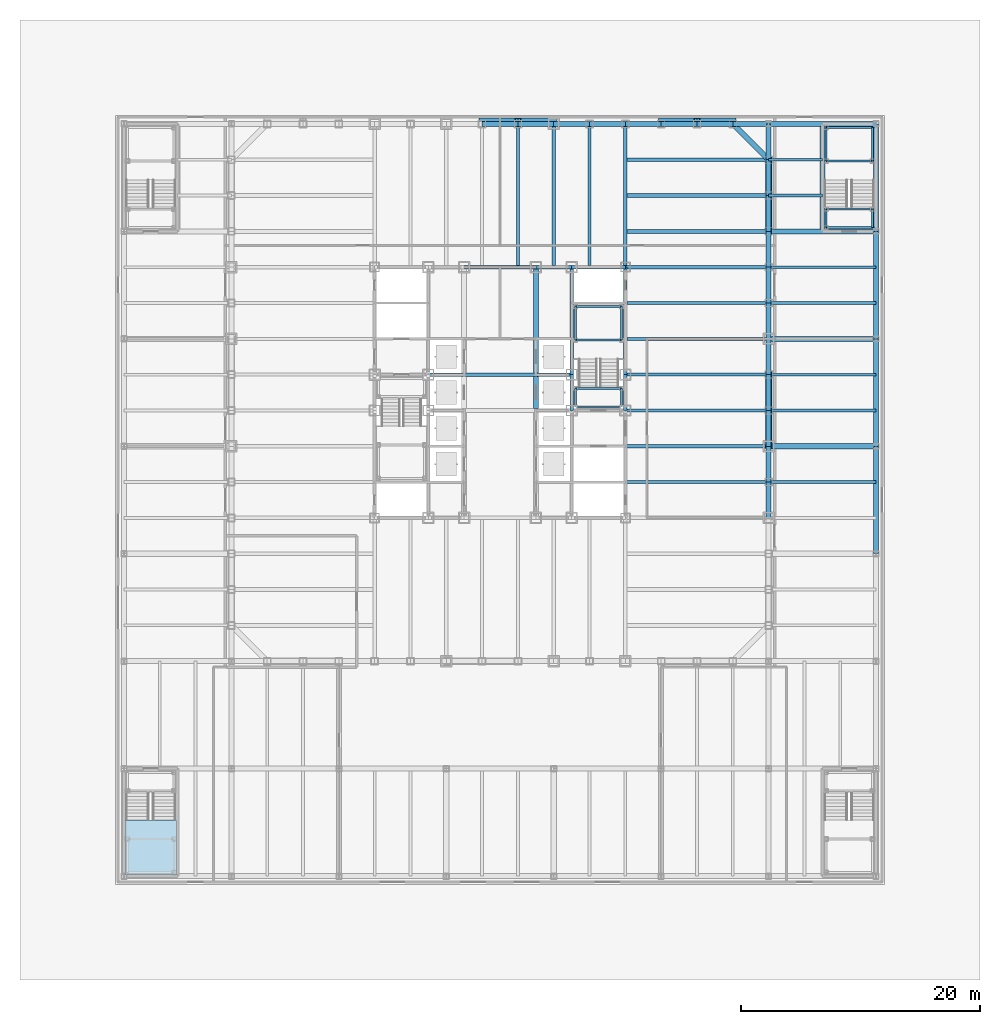
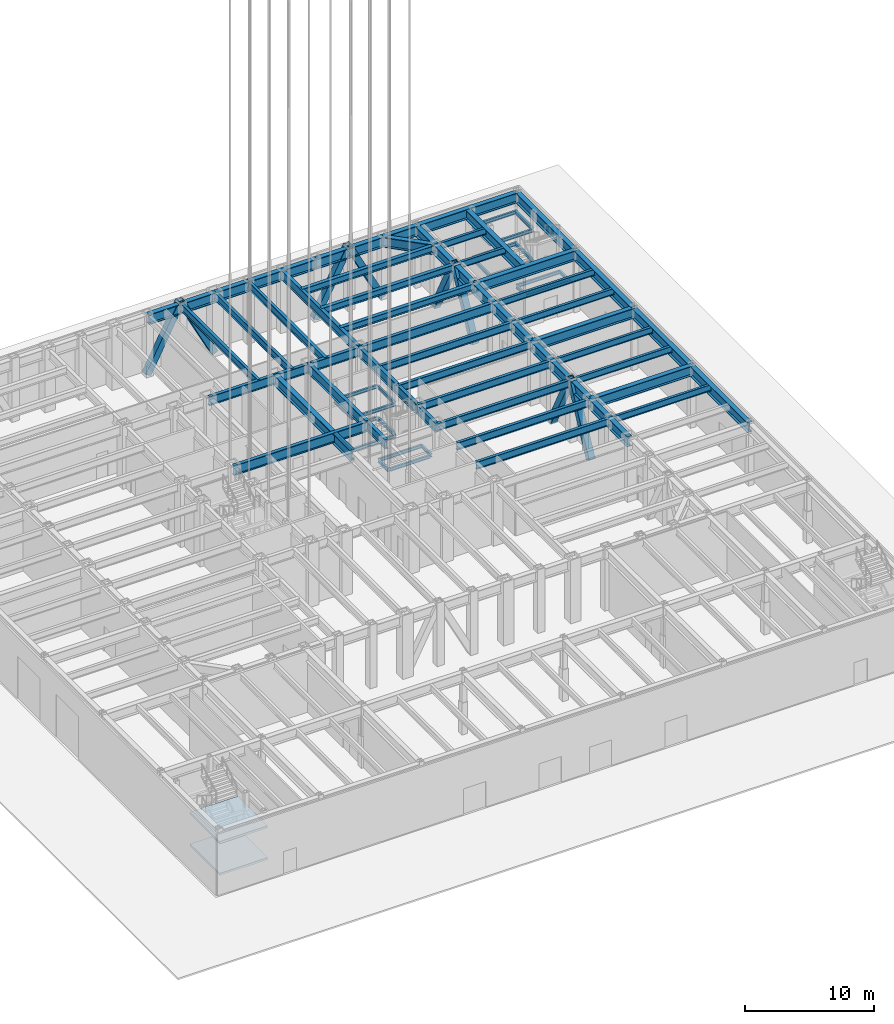
# One storey, part 5 of 35: 84 beams, 8 members, 2 slabs, 1 element without a shape of its own.
"""IFC4 building model written with IfcOpenShell, lengths in metres."""

from ifc_helpers import new_model, si_unit, direction, frame, origin, origin_2d, place, context, subcontext, project, spatial, polyline, hollow_rectangle, i_section, outline, extrude, material, layer, layer_set, material_profile, profile_set, type_object, element, aggregate, save


model = new_model("IFC4")

# Units and contexts
model_context = context("Model", 3, precision=1e-05, world=origin(), true_north=direction((0.0, 1.0)))
body_context = subcontext(model_context, "Body", "Model", "MODEL_VIEW")
ifc_project = project(units=[si_unit("LENGTHUNIT", "METRE"), si_unit("AREAUNIT", "SQUARE_METRE"), si_unit("VOLUMEUNIT", "CUBIC_METRE"), si_unit("PLANEANGLEUNIT", "RADIAN"), si_unit("MASSUNIT", "GRAM", prefix="KILO")], contexts=[model_context])

# Site, building, storey
site_placement = place(None, origin())
site = spatial("IfcSite", under=ifc_project, at=site_placement, CompositionType="ELEMENT")
building_placement = place(site_placement, origin())
building = spatial("IfcBuilding", under=site, at=building_placement, Name="Chuquiago Exchange Tower", CompositionType="ELEMENT")
storey_placement = place(building_placement, origin())
storey = spatial("IfcBuildingStorey", under=building, at=storey_placement, Name="L00", CompositionType="ELEMENT", Elevation=0.0)

# Beams
ifc_material_1 = material(Name="Steel ASTM A992", Category="steel")
ifc_material_profile_1 = material_profile(ifc_material_1, i_section(OverallWidth=0.307373046875, OverallDepth=0.927001953125, WebThickness=0.01953125, FlangeThickness=0.031982421875, at=origin_2d()), Name="W36X194")
ifc_profile_set_1 = profile_set([ifc_material_profile_1], Name="Steel ASTM A992")
beam_type_1 = type_object("IfcBeamType", Name="B10 W36X194", PredefinedType="BEAM", material=ifc_profile_set_1)
for number, where, z_axis, x_axis, name in (
    (1, (28.5, 24.0, 5.33642578125), (0.0, 1.0, 0.0), (-1.0, 0.0, 0.0), "CB-L01-28.5_24-28.5_33"),
    (2, (33.0, 24.0, 5.33642578125), (0.0, 1.0, 0.0), (-1.0, 0.0, 0.0), "CB-L01-33_24-33_33"),
):
    element("IfcBeam", number, at=place(storey_placement, frame(where, z_axis=z_axis, x_axis=x_axis)), inside=storey, type_object=beam_type_1, Name=name, PredefinedType="BEAM", context=body_context, shape_type="SweptSolid", body=[
        extrude(i_section(OverallWidth=0.307373046875, OverallDepth=0.927001953125, WebThickness=0.01953125, FlangeThickness=0.031982421875, at=origin_2d()), origin(), (0.0, 0.0, 1.0), 9.0),
    ])
ifc_material_2 = material(Name="Steel ASTM A992", Category="steel")
ifc_material_profile_2 = material_profile(ifc_material_2, i_section(OverallWidth=0.309814453125, OverallDepth=0.949951171875, WebThickness=0.0244140625, FlangeThickness=0.0439453125, at=origin_2d()), Name="W36X256")
ifc_profile_set_2 = profile_set([ifc_material_profile_2], Name="Steel ASTM A992")
beam_type_2 = type_object("IfcBeamType", Name="B11 W36X256", PredefinedType="BEAM", material=ifc_profile_set_2)
beam_1_placement = place(storey_placement, frame((16.5, 24.0, 5.324951171875), z_axis=(1.0, 0.0, 0.0), x_axis=(0.0, 1.0, 0.0)))
element("IfcBeam", 3, at=beam_1_placement, inside=storey, type_object=beam_type_2, Name="CB-L01-16.5_24-28.5_24", PredefinedType="BEAM", context=body_context, shape_type="SweptSolid", body=[
    extrude(i_section(OverallWidth=0.309814453125, OverallDepth=0.949951171875, WebThickness=0.0244140625, FlangeThickness=0.0439453125, at=origin_2d()), origin(), (0.0, 0.0, 1.0), 12.0),
])
ifc_material_3 = material(Name="Steel ASTM A992", Category="steel")
ifc_material_profile_3 = material_profile(ifc_material_3, i_section(OverallWidth=0.4267578125, OverallDepth=0.975341796875, WebThickness=0.031005859375, FlangeThickness=0.055908203125, at=origin_2d()), Name="W36X395")
ifc_profile_set_3 = profile_set([ifc_material_profile_3], Name="Steel ASTM A992")
beam_type_3 = type_object("IfcBeamType", Name="B12 W36X395", PredefinedType="BEAM", material=ifc_profile_set_3)
beam_2_placement = place(storey_placement, frame((25.5, 21.15478515625, 5.312255859375), z_axis=(0.0, 1.0, 0.0), x_axis=(-1.0, 0.0, 0.0)))
element("IfcBeam", 4, at=beam_2_placement, inside=storey, type_object=beam_type_3, Name="CB-L01-25.5_21.1549-25.5_23.8451", PredefinedType="BEAM", context=body_context, shape_type="SweptSolid", body=[
    extrude(i_section(OverallWidth=0.4267578125, OverallDepth=0.975341796875, WebThickness=0.031005859375, FlangeThickness=0.055908203125, at=origin_2d()), origin(), (0.0, 0.0, 1.0), 2.6904296875),
])
beam_3_placement = place(storey_placement, frame((25.5, 24.15478515625, 5.312255859375), z_axis=(0.0, 1.0, 0.0), x_axis=(-1.0, 0.0, 0.0)))
element("IfcBeam", 5, at=beam_3_placement, inside=storey, type_object=beam_type_3, Name="CB-L01-25.5_24.1549-25.5_33", PredefinedType="BEAM", context=body_context, shape_type="SweptSolid", body=[
    extrude(i_section(OverallWidth=0.4267578125, OverallDepth=0.975341796875, WebThickness=0.031005859375, FlangeThickness=0.055908203125, at=origin_2d()), origin(), (0.0, 0.0, 1.0), 8.84521484375),
])
ifc_material_4 = material(Name="Steel ASTM A992", Category="steel")
ifc_material_profile_4 = material_profile(ifc_material_4, i_section(OverallWidth=0.2919921875, OverallDepth=0.8583984375, WebThickness=0.01708984375, FlangeThickness=0.031005859375, at=origin_2d()), Name="W33X169")
ifc_profile_set_4 = profile_set([ifc_material_profile_4], Name="Steel ASTM A992")
beam_type_4 = type_object("IfcBeamType", Name="B3 W33X169", PredefinedType="BEAM", material=ifc_profile_set_4)
for number, where, z_axis, x_axis, name in (
    (6, (28.5, 21.0, 5.37060546875), (0.0, 1.0, 0.0), (-1.0, 0.0, 0.0), "CB-L01-28.5_21-28.5_24"),
    (7, (33.0, 21.0, 5.37060546875), (0.0, 1.0, 0.0), (-1.0, 0.0, 0.0), "CB-L01-33_21-33_24"),
):
    element("IfcBeam", number, at=place(storey_placement, frame(where, z_axis=z_axis, x_axis=x_axis)), inside=storey, type_object=beam_type_4, Name=name, PredefinedType="BEAM", context=body_context, shape_type="SweptSolid", body=[
        extrude(i_section(OverallWidth=0.2919921875, OverallDepth=0.8583984375, WebThickness=0.01708984375, FlangeThickness=0.031005859375, at=origin_2d()), origin(), (0.0, 0.0, 1.0), 3.0),
    ])
beam_4_placement = place(storey_placement, frame((19.5, 33.0, 5.37060546875), z_axis=(1.0, 0.0, 0.0), x_axis=(0.0, 1.0, 0.0)))
element("IfcBeam", 8, at=beam_4_placement, inside=storey, type_object=beam_type_4, Name="CB-L01-19.5_33-25.5_33", PredefinedType="BEAM", context=body_context, shape_type="SweptSolid", body=[
    extrude(i_section(OverallWidth=0.2919921875, OverallDepth=0.8583984375, WebThickness=0.01708984375, FlangeThickness=0.031005859375, at=origin_2d()), origin(), (0.0, 0.0, 1.0), 6.0),
])
beam_5_placement = place(storey_placement, frame((25.5, 33.0, 5.37060546875), z_axis=(1.0, 0.0, 0.0), x_axis=(0.0, 1.0, 0.0)))
element("IfcBeam", 9, at=beam_5_placement, inside=storey, type_object=beam_type_4, Name="CB-L01-25.5_33-28.5_33", PredefinedType="BEAM", context=body_context, shape_type="SweptSolid", body=[
    extrude(i_section(OverallWidth=0.2919921875, OverallDepth=0.8583984375, WebThickness=0.01708984375, FlangeThickness=0.031005859375, at=origin_2d()), origin(), (0.0, 0.0, 1.0), 3.0),
])
beam_6_placement = place(storey_placement, frame((28.5, 33.0, 5.37060546875), z_axis=(1.0, 0.0, 0.0), x_axis=(0.0, 1.0, 0.0)))
element("IfcBeam", 10, at=beam_6_placement, inside=storey, type_object=beam_type_4, Name="CB-L01-28.5_33-33_33", PredefinedType="BEAM", context=body_context, shape_type="SweptSolid", body=[
    extrude(i_section(OverallWidth=0.2919921875, OverallDepth=0.8583984375, WebThickness=0.01708984375, FlangeThickness=0.031005859375, at=origin_2d()), origin(), (0.0, 0.0, 1.0), 4.5),
])
ifc_material_5 = material(Name="Steel ASTM A992", Category="steel")
ifc_material_profile_5 = material_profile(ifc_material_5, i_section(OverallWidth=0.256591796875, OverallDepth=0.693359375, WebThickness=0.014404296875, FlangeThickness=0.023681640625, at=origin_2d()), Name="W27X114")
ifc_profile_set_5 = profile_set([ifc_material_profile_5], Name="Steel ASTM A992")
beam_type_5 = type_object("IfcBeamType", Name="B4 W27X114", PredefinedType="BEAM", material=ifc_profile_set_5)
for number, where, z_axis, x_axis, name in (
    (11, (24.0, 33.0, 5.453369140625), (0.0, 1.0, 0.0), (-1.0, 0.0, 0.0), "FB-L01-infill-24_33-24_45-0"),
    (12, (27.0, 33.0, 5.453369140625), (0.0, 1.0, 0.0), (-1.0, 0.0, 0.0), "FB-L01-infill-27_33-27_45-0"),
    (13, (30.0, 33.0, 5.453369140625), (0.0, 1.0, 0.0), (-1.0, 0.0, 0.0), "FB-L01-infill-30_33-30_45-0"),
    (14, (33.0, 15.0, 5.453369140625), (1.0, 0.0, 0.0), (0.0, 1.0, 0.0), "FB-L01-infill-33_15-45_15-0"),
    (15, (33.0, 18.0, 5.453369140625), (1.0, 0.0, 0.0), (0.0, 1.0, 0.0), "FB-L01-infill-33_18-45_18-0"),
    (16, (33.0, 21.0, 5.453369140625), (1.0, 0.0, 0.0), (0.0, 1.0, 0.0), "FB-L01-infill-33_21-45_21-0"),
    (17, (33.0, 24.0, 5.453369140625), (1.0, 0.0, 0.0), (0.0, 1.0, 0.0), "FB-L01-infill-33_24-45_24-0"),
    (18, (33.0, 27.0, 5.453369140625), (1.0, 0.0, 0.0), (0.0, 1.0, 0.0), "FB-L01-infill-33_27-45_27-0"),
    (19, (33.0, 30.0, 5.453369140625), (1.0, 0.0, 0.0), (0.0, 1.0, 0.0), "FB-L01-infill-33_30-45_30-0"),
):
    element("IfcBeam", number, at=place(storey_placement, frame(where, z_axis=z_axis, x_axis=x_axis)), inside=storey, type_object=beam_type_5, Name=name, PredefinedType="BEAM", context=body_context, shape_type="SweptSolid", body=[
        extrude(i_section(OverallWidth=0.256591796875, OverallDepth=0.693359375, WebThickness=0.014404296875, FlangeThickness=0.023681640625, at=origin_2d()), origin(), (0.0, 0.0, 1.0), 12.0),
    ])
ifc_material_6 = material(Name="Steel ASTM A992", Category="steel")
ifc_material_profile_6 = material_profile(ifc_material_6, i_section(OverallWidth=0.3251953125, OverallDepth=0.6171875, WebThickness=0.013916015625, FlangeThickness=0.021484375, at=origin_2d()), Name="W24X117")
ifc_profile_set_6 = profile_set([ifc_material_profile_6], Name="Steel ASTM A992")
beam_type_6 = type_object("IfcBeamType", Name="B5 W24X117", PredefinedType="BEAM", material=ifc_profile_set_6)
for number, where, z_axis, x_axis, name in (
    (20, (33.0, 36.0, 5.491455078125), (1.0, 0.0, 0.0), (0.0, 1.0, 0.0), "FB-L01-corner-33_36-45_36-0"),
    (21, (33.0, 39.0, 5.491455078125), (1.0, 0.0, 0.0), (0.0, 1.0, 0.0), "FB-L01-corner-33_39-45_39-0"),
    (22, (33.0, 42.0, 5.491455078125), (1.0, 0.0, 0.0), (0.0, 1.0, 0.0), "FB-L01-corner-33_42-45_42-0"),
):
    element("IfcBeam", number, at=place(storey_placement, frame(where, z_axis=z_axis, x_axis=x_axis)), inside=storey, type_object=beam_type_6, Name=name, PredefinedType="BEAM", context=body_context, shape_type="SweptSolid", body=[
        extrude(i_section(OverallWidth=0.3251953125, OverallDepth=0.6171875, WebThickness=0.013916015625, FlangeThickness=0.021484375, at=origin_2d()), origin(), (0.0, 0.0, 1.0), 12.0),
    ])
ifc_material_7 = material(Name="Steel ASTM A992", Category="steel")
ifc_material_profile_7 = material_profile(ifc_material_7, i_section(OverallWidth=0.2919921875, OverallDepth=0.8583984375, WebThickness=0.01708984375, FlangeThickness=0.031005859375, at=origin_2d()), Name="W33X169")
ifc_profile_set_7 = profile_set([ifc_material_profile_7], Name="Steel ASTM A992")
beam_type_7 = type_object("IfcBeamType", Name="G2 W33X169", PredefinedType="BEAM", material=ifc_profile_set_7)
for number, where, z_axis, x_axis, name in (
    (23, (33.0, 33.0, 5.37060546875), (0.0, 1.0, 0.0), (-1.0, 0.0, 0.0), "FB-L01-girder-33_33-33_45-0"),
    (24, (33.0, 33.0, 5.37060546875), (1.0, 0.0, 0.0), (0.0, 1.0, 0.0), "FB-L01-girder-33_33-45_33-0"),
):
    element("IfcBeam", number, at=place(storey_placement, frame(where, z_axis=z_axis, x_axis=x_axis)), inside=storey, type_object=beam_type_7, Name=name, PredefinedType="BEAM", context=body_context, shape_type="SweptSolid", body=[
        extrude(i_section(OverallWidth=0.2919921875, OverallDepth=0.8583984375, WebThickness=0.01708984375, FlangeThickness=0.031005859375, at=origin_2d()), origin(), (0.0, 0.0, 1.0), 12.0),
    ])
ifc_material_8 = material(Name="Steel ASTM A992", Category="steel")
ifc_material_profile_8 = material_profile(ifc_material_8, i_section(OverallWidth=0.164794921875, OverallDepth=0.309814453125, WebThickness=0.005859375, FlangeThickness=0.009765625, at=origin_2d()), Name="W12X26")
ifc_profile_set_8 = profile_set([ifc_material_profile_8], Name="Steel ASTM A992")
beam_type_8 = type_object("IfcBeamType", Name="LS1 W12X26", PredefinedType="BEAM", material=ifc_profile_set_8)
for number, where, z_axis, x_axis, name in (
    (25, (28.81005859375, 26.889892578125, 1.14501953125), (0.0, 1.0, 0.0), (-1.0, 0.0, 0.0), "Stair ST2 L00 landing 1 stringer"),
    (26, (32.68994140625, 26.889892578125, 1.14501953125), (0.0, 1.0, 0.0), (-1.0, 0.0, 0.0), "Stair ST2 L00 landing 1 stringer"),
):
    element("IfcBeam", number, at=place(storey_placement, frame(where, z_axis=z_axis, x_axis=x_axis)), inside=storey, type_object=beam_type_8, Name=name, PredefinedType="BEAM", context=body_context, shape_type="SweptSolid", body=[
        extrude(i_section(OverallWidth=0.164794921875, OverallDepth=0.309814453125, WebThickness=0.005859375, FlangeThickness=0.009765625, at=origin_2d()), origin(), (0.0, 0.0, 1.0), 2.800048828125),
    ])
for number, where, z_axis, x_axis, name in (
    (27, (28.81005859375, 21.31005859375, 2.64501953125), (0.0, 1.0, 0.0), (-1.0, 0.0, 0.0), "Stair ST2 L00 landing 2 stringer"),
    (28, (32.68994140625, 21.31005859375, 2.64501953125), (0.0, 1.0, 0.0), (-1.0, 0.0, 0.0), "Stair ST2 L00 landing 2 stringer"),
):
    element("IfcBeam", number, at=place(storey_placement, frame(where, z_axis=z_axis, x_axis=x_axis)), inside=storey, type_object=beam_type_8, Name=name, PredefinedType="BEAM", context=body_context, shape_type="SweptSolid", body=[
        extrude(i_section(OverallWidth=0.164794921875, OverallDepth=0.309814453125, WebThickness=0.005859375, FlangeThickness=0.009765625, at=origin_2d()), origin(), (0.0, 0.0, 1.0), 1.5400390625),
    ])
for number, where, z_axis, x_axis, name in (
    (29, (28.81005859375, 26.889892578125, 4.14501953125), (0.0, 1.0, 0.0), (-1.0, 0.0, 0.0), "Stair ST2 L00 landing 3 stringer"),
    (30, (32.68994140625, 26.889892578125, 4.14501953125), (0.0, 1.0, 0.0), (-1.0, 0.0, 0.0), "Stair ST2 L00 landing 3 stringer"),
    (31, (49.81005859375, 41.889892578125, 1.14501953125), (0.0, 1.0, 0.0), (-1.0, 0.0, 0.0), "Stair PS4 L00 landing 1 stringer"),
    (32, (53.68994140625, 41.889892578125, 1.14501953125), (0.0, 1.0, 0.0), (-1.0, 0.0, 0.0), "Stair PS4 L00 landing 1 stringer"),
):
    element("IfcBeam", number, at=place(storey_placement, frame(where, z_axis=z_axis, x_axis=x_axis)), inside=storey, type_object=beam_type_8, Name=name, PredefinedType="BEAM", context=body_context, shape_type="SweptSolid", body=[
        extrude(i_section(OverallWidth=0.164794921875, OverallDepth=0.309814453125, WebThickness=0.005859375, FlangeThickness=0.009765625, at=origin_2d()), origin(), (0.0, 0.0, 1.0), 2.800048828125),
    ])
for number, where, z_axis, x_axis, name in (
    (33, (49.81005859375, 36.31005859375, 2.64501953125), (0.0, 1.0, 0.0), (-1.0, 0.0, 0.0), "Stair PS4 L00 landing 2 stringer"),
    (34, (53.68994140625, 36.31005859375, 2.64501953125), (0.0, 1.0, 0.0), (-1.0, 0.0, 0.0), "Stair PS4 L00 landing 2 stringer"),
):
    element("IfcBeam", number, at=place(storey_placement, frame(where, z_axis=z_axis, x_axis=x_axis)), inside=storey, type_object=beam_type_8, Name=name, PredefinedType="BEAM", context=body_context, shape_type="SweptSolid", body=[
        extrude(i_section(OverallWidth=0.164794921875, OverallDepth=0.309814453125, WebThickness=0.005859375, FlangeThickness=0.009765625, at=origin_2d()), origin(), (0.0, 0.0, 1.0), 1.5400390625),
    ])
for number, where, z_axis, x_axis, name in (
    (35, (49.81005859375, 41.889892578125, 4.14501953125), (0.0, 1.0, 0.0), (-1.0, 0.0, 0.0), "Stair PS4 L00 landing 3 stringer"),
    (36, (53.68994140625, 41.889892578125, 4.14501953125), (0.0, 1.0, 0.0), (-1.0, 0.0, 0.0), "Stair PS4 L00 landing 3 stringer"),
):
    element("IfcBeam", number, at=place(storey_placement, frame(where, z_axis=z_axis, x_axis=x_axis)), inside=storey, type_object=beam_type_8, Name=name, PredefinedType="BEAM", context=body_context, shape_type="SweptSolid", body=[
        extrude(i_section(OverallWidth=0.164794921875, OverallDepth=0.309814453125, WebThickness=0.005859375, FlangeThickness=0.009765625, at=origin_2d()), origin(), (0.0, 0.0, 1.0), 2.800048828125),
    ])
ifc_material_9 = material(Name="Steel ASTM A992", Category="steel")
ifc_material_profile_9 = material_profile(ifc_material_9, i_section(OverallWidth=0.164794921875, OverallDepth=0.309814453125, WebThickness=0.005859375, FlangeThickness=0.009765625, at=origin_2d()), Name="W12X26")
ifc_profile_set_9 = profile_set([ifc_material_profile_9], Name="Steel ASTM A992")
beam_type_9 = type_object("IfcBeamType", Name="LT1 W12X26", PredefinedType="BEAM", material=ifc_profile_set_9)
for number, where, z_axis, x_axis, name in (
    (37, (28.81005859375, 29.68994140625, 1.14501953125), (1.0, 0.0, 0.0), (0.0, 1.0, 0.0), "Stair ST2 L00 landing 1 trimmer"),
    (38, (28.81005859375, 26.889892578125, 1.14501953125), (1.0, 0.0, 0.0), (0.0, 1.0, 0.0), "Stair ST2 L00 landing 1 trimmer"),
    (39, (28.81005859375, 22.85009765625, 2.64501953125), (1.0, 0.0, 0.0), (0.0, 1.0, 0.0), "Stair ST2 L00 landing 2 trimmer"),
):
    element("IfcBeam", number, at=place(storey_placement, frame(where, z_axis=z_axis, x_axis=x_axis)), inside=storey, type_object=beam_type_9, Name=name, PredefinedType="BEAM", context=body_context, shape_type="SweptSolid", body=[
        extrude(i_section(OverallWidth=0.164794921875, OverallDepth=0.309814453125, WebThickness=0.005859375, FlangeThickness=0.009765625, at=origin_2d()), origin(), (0.0, 0.0, 1.0), 3.8798828125),
    ])
beam_7_placement = place(storey_placement, frame((28.955078125, 21.31005859375, 2.64501953125), z_axis=(1.0, 0.0, 0.0), x_axis=(0.0, 1.0, 0.0)))
element("IfcBeam", 40, at=beam_7_placement, inside=storey, type_object=beam_type_9, Name="Stair ST2 L00 landing 2 trimmer", PredefinedType="BEAM", context=body_context, shape_type="SweptSolid", body=[
    extrude(i_section(OverallWidth=0.164794921875, OverallDepth=0.309814453125, WebThickness=0.005859375, FlangeThickness=0.009765625, at=origin_2d()), origin(), (0.0, 0.0, 1.0), 3.58984375),
])
for number, where, z_axis, x_axis, name in (
    (41, (28.81005859375, 29.68994140625, 4.14501953125), (1.0, 0.0, 0.0), (0.0, 1.0, 0.0), "Stair ST2 L00 landing 3 trimmer"),
    (42, (28.81005859375, 26.889892578125, 4.14501953125), (1.0, 0.0, 0.0), (0.0, 1.0, 0.0), "Stair ST2 L00 landing 3 trimmer"),
):
    element("IfcBeam", number, at=place(storey_placement, frame(where, z_axis=z_axis, x_axis=x_axis)), inside=storey, type_object=beam_type_9, Name=name, PredefinedType="BEAM", context=body_context, shape_type="SweptSolid", body=[
        extrude(i_section(OverallWidth=0.164794921875, OverallDepth=0.309814453125, WebThickness=0.005859375, FlangeThickness=0.009765625, at=origin_2d()), origin(), (0.0, 0.0, 1.0), 3.8798828125),
    ])
beam_8_placement = place(storey_placement, frame((49.81005859375, 44.68994140625, 1.14501953125), z_axis=(1.0, 0.0, 0.0), x_axis=(0.0, 1.0, 0.0)))
element("IfcBeam", 43, at=beam_8_placement, inside=storey, type_object=beam_type_9, Name="Stair PS4 L00 landing 1 trimmer", PredefinedType="BEAM", context=body_context, shape_type="SweptSolid", body=[
    extrude(i_section(OverallWidth=0.164794921875, OverallDepth=0.309814453125, WebThickness=0.005859375, FlangeThickness=0.009765625, at=origin_2d()), origin(), (0.0, 0.0, 1.0), 4.004150390625),
])
for number, where, z_axis, x_axis, name in (
    (44, (49.81005859375, 41.889892578125, 1.14501953125), (1.0, 0.0, 0.0), (0.0, 1.0, 0.0), "Stair PS4 L00 landing 1 trimmer"),
    (45, (49.81005859375, 37.85009765625, 2.64501953125), (1.0, 0.0, 0.0), (0.0, 1.0, 0.0), "Stair PS4 L00 landing 2 trimmer"),
):
    element("IfcBeam", number, at=place(storey_placement, frame(where, z_axis=z_axis, x_axis=x_axis)), inside=storey, type_object=beam_type_9, Name=name, PredefinedType="BEAM", context=body_context, shape_type="SweptSolid", body=[
        extrude(i_section(OverallWidth=0.164794921875, OverallDepth=0.309814453125, WebThickness=0.005859375, FlangeThickness=0.009765625, at=origin_2d()), origin(), (0.0, 0.0, 1.0), 3.8798828125),
    ])
for number, where, z_axis, x_axis, name in (
    (46, (49.81005859375, 36.31005859375, 2.64501953125), (1.0, 0.0, 0.0), (0.0, 1.0, 0.0), "Stair PS4 L00 landing 2 trimmer"),
    (47, (49.81005859375, 44.68994140625, 4.14501953125), (1.0, 0.0, 0.0), (0.0, 1.0, 0.0), "Stair PS4 L00 landing 3 trimmer"),
):
    element("IfcBeam", number, at=place(storey_placement, frame(where, z_axis=z_axis, x_axis=x_axis)), inside=storey, type_object=beam_type_9, Name=name, PredefinedType="BEAM", context=body_context, shape_type="SweptSolid", body=[
        extrude(i_section(OverallWidth=0.164794921875, OverallDepth=0.309814453125, WebThickness=0.005859375, FlangeThickness=0.009765625, at=origin_2d()), origin(), (0.0, 0.0, 1.0), 4.004150390625),
    ])
beam_9_placement = place(storey_placement, frame((49.81005859375, 41.889892578125, 4.14501953125), z_axis=(1.0, 0.0, 0.0), x_axis=(0.0, 1.0, 0.0)))
element("IfcBeam", 48, at=beam_9_placement, inside=storey, type_object=beam_type_9, Name="Stair PS4 L00 landing 3 trimmer", PredefinedType="BEAM", context=body_context, shape_type="SweptSolid", body=[
    extrude(i_section(OverallWidth=0.164794921875, OverallDepth=0.309814453125, WebThickness=0.005859375, FlangeThickness=0.009765625, at=origin_2d()), origin(), (0.0, 0.0, 1.0), 3.8798828125),
])

# Members
ifc_material_10 = material(Name="Steel ASTM A572 Grade 50", Category="steel")
ifc_material_profile_10 = material_profile(ifc_material_10, hollow_rectangle(XDim=0.550048828125, YDim=0.550048828125, WallThickness=0.044921875, at=origin_2d()), Name="BOX550X550X45")
ifc_profile_set_10 = profile_set([ifc_material_profile_10], Name="Steel ASTM A572 Grade 50")
member_type = type_object("IfcMemberType", Name="MB1 BOX550X550X45", PredefinedType="BRACE", material=ifc_profile_set_10)
for number, where, z_axis, x_axis, name in (
    (49, (45.0, 18.0, 0.0), (0.0, 0.456929540486, 0.889502892087), (-1.0, 0.0, 0.0), "Mega diagonal L00 E face"),
    (50, (45.0, 24.0, 0.0), (0.0, -0.456929540486, 0.889502892087), (1.0, 0.0, 0.0), "Mega diagonal L00 E face"),
    (51, (45.0, 36.0, 0.0), (0.0, 0.456929540486, 0.889502892087), (-1.0, 0.0, 0.0), "Mega diagonal L00 E face"),
    (52, (45.0, 42.0, 0.0), (0.0, -0.456929540486, 0.889502892087), (1.0, 0.0, 0.0), "Mega diagonal L00 E face"),
    (53, (42.0, 45.205078125, 0.0), (-0.456929540486, 0.0, 0.889502892087), (0.0, -1.0, 0.0), "Mega diagonal L00 N face"),
    (54, (36.0, 45.205078125, 0.0), (0.456929540486, 0.0, 0.889502892087), (0.0, 1.0, 0.0), "Mega diagonal L00 N face"),
    (55, (27.0, 45.205078125, 0.0), (-0.456929540486, 0.0, 0.889502892087), (0.0, -1.0, 0.0), "Mega diagonal L00 N face"),
    (56, (21.0, 45.205078125, 0.0), (0.456929540486, 0.0, 0.889502892087), (0.0, 1.0, 0.0), "Mega diagonal L00 N face"),
):
    element("IfcMember", number, at=place(storey_placement, frame(where, z_axis=z_axis, x_axis=x_axis)), inside=storey, type_object=member_type, Name=name, PredefinedType="BRACE", context=body_context, shape_type="SweptSolid", body=[
        extrude(hollow_rectangle(XDim=0.550048828125, YDim=0.550048828125, WallThickness=0.044921875, at=origin_2d()), origin(), (0.0, 0.0, 1.0), 6.565673828125),
    ])

# Beams
ifc_material_11 = material(Name="Steel ASTM A992", Category="steel")
ifc_material_profile_11 = material_profile(ifc_material_11, i_section(OverallWidth=0.227783203125, OverallDepth=0.60205078125, WebThickness=0.010498046875, FlangeThickness=0.014892578125, at=origin_2d()), Name="W24X68")
ifc_profile_set_11 = profile_set([ifc_material_profile_11], Name="Steel ASTM A992")
beam_type_10 = type_object("IfcBeamType", Name="PB1 W24X68", PredefinedType="BEAM", material=ifc_profile_set_11)
for number, where, z_axis, x_axis, name in (
    (57, (45.0, 15.0, 5.4990234375), (1.0, 0.0, 0.0), (0.0, 1.0, 0.0), "PB-L01-45_15"),
    (58, (45.0, 21.0, 5.4990234375), (1.0, 0.0, 0.0), (0.0, 1.0, 0.0), "PB-L01-45_21"),
    (59, (45.0, 24.0, 5.4990234375), (1.0, 0.0, 0.0), (0.0, 1.0, 0.0), "PB-L01-45_24"),
    (60, (45.0, 30.0, 5.4990234375), (1.0, 0.0, 0.0), (0.0, 1.0, 0.0), "PB-L01-45_30"),
    (61, (45.0, 33.0, 5.4990234375), (1.0, 0.0, 0.0), (0.0, 1.0, 0.0), "PB-L01-45_33"),
):
    element("IfcBeam", number, at=place(storey_placement, frame(where, z_axis=z_axis, x_axis=x_axis)), inside=storey, type_object=beam_type_10, Name=name, PredefinedType="BEAM", context=body_context, shape_type="SweptSolid", body=[
        extrude(i_section(OverallWidth=0.227783203125, OverallDepth=0.60205078125, WebThickness=0.010498046875, FlangeThickness=0.014892578125, at=origin_2d()), origin(), (0.0, 0.0, 1.0), 9.0),
    ])
for number, where, z_axis, x_axis, name in (
    (62, (45.0, 39.0, 5.4990234375), (1.0, 0.0, 0.0), (0.0, 1.0, 0.0), "PB-L01-45_39"),
    (63, (45.0, 42.0, 5.4990234375), (1.0, 0.0, 0.0), (0.0, 1.0, 0.0), "PB-L01-45_42"),
):
    element("IfcBeam", number, at=place(storey_placement, frame(where, z_axis=z_axis, x_axis=x_axis)), inside=storey, type_object=beam_type_10, Name=name, PredefinedType="BEAM", context=body_context, shape_type="SweptSolid", body=[
        extrude(i_section(OverallWidth=0.227783203125, OverallDepth=0.60205078125, WebThickness=0.010498046875, FlangeThickness=0.014892578125, at=origin_2d()), origin(), (0.0, 0.0, 1.0), 4.5),
    ])
ifc_material_12 = material(Name="Steel ASTM A992", Category="steel")
ifc_material_profile_12 = material_profile(ifc_material_12, i_section(OverallWidth=0.424072265625, OverallDepth=0.947509765625, WebThickness=0.02392578125, FlangeThickness=0.042724609375, at=origin_2d()), Name="W36X302")
ifc_profile_set_12 = profile_set([ifc_material_profile_12], Name="Steel ASTM A992")
beam_type_11 = type_object("IfcBeamType", Name="PG1 W36X302", PredefinedType="BEAM", material=ifc_profile_set_12)
beam_10_placement = place(storey_placement, frame((45.0, 42.0, 5.326416015625), z_axis=(0.0, 1.0, 0.0), x_axis=(-1.0, 0.0, 0.0)))
element("IfcBeam", 64, at=beam_10_placement, inside=storey, type_object=beam_type_11, Name="PG-L01-45_42-45_45", PredefinedType="BEAM", context=body_context, shape_type="SweptSolid", body=[
    extrude(i_section(OverallWidth=0.424072265625, OverallDepth=0.947509765625, WebThickness=0.02392578125, FlangeThickness=0.042724609375, at=origin_2d()), origin(), (0.0, 0.0, 1.0), 3.0),
])
for number, where, z_axis, x_axis, name in (
    (65, (54.0, 9.0, 5.326416015625), (0.0, 1.0, 0.0), (-1.0, 0.0, 0.0), "PG-L01-54_9-54_18"),
    (66, (54.0, 18.0, 5.326416015625), (0.0, 1.0, 0.0), (-1.0, 0.0, 0.0), "PG-L01-54_18-54_27"),
    (67, (54.0, 27.0, 5.326416015625), (0.0, 1.0, 0.0), (-1.0, 0.0, 0.0), "PG-L01-54_27-54_36"),
    (68, (54.0, 36.0, 5.326416015625), (0.0, 1.0, 0.0), (-1.0, 0.0, 0.0), "PG-L01-54_36-54_45"),
    (69, (45.0, 18.0, 5.326416015625), (1.0, 0.0, 0.0), (0.0, 1.0, 0.0), "PG-L01-45_18-54_18"),
    (70, (45.0, 27.0, 5.326416015625), (1.0, 0.0, 0.0), (0.0, 1.0, 0.0), "PG-L01-45_27-54_27"),
    (71, (45.0, 36.0, 5.326416015625), (1.0, 0.0, 0.0), (0.0, 1.0, 0.0), "PG-L01-45_36-54_36"),
):
    element("IfcBeam", number, at=place(storey_placement, frame(where, z_axis=z_axis, x_axis=x_axis)), inside=storey, type_object=beam_type_11, Name=name, PredefinedType="BEAM", context=body_context, shape_type="SweptSolid", body=[
        extrude(i_section(OverallWidth=0.424072265625, OverallDepth=0.947509765625, WebThickness=0.02392578125, FlangeThickness=0.042724609375, at=origin_2d()), origin(), (0.0, 0.0, 1.0), 9.0),
    ])
beam_11_placement = place(storey_placement, frame((42.0, 45.0, 5.326416015625), z_axis=(1.0, 0.0, 0.0), x_axis=(0.0, 1.0, 0.0)))
element("IfcBeam", 72, at=beam_11_placement, inside=storey, type_object=beam_type_11, Name="PG-L01-42_45-45_45", PredefinedType="BEAM", context=body_context, shape_type="SweptSolid", body=[
    extrude(i_section(OverallWidth=0.424072265625, OverallDepth=0.947509765625, WebThickness=0.02392578125, FlangeThickness=0.042724609375, at=origin_2d()), origin(), (0.0, 0.0, 1.0), 3.0),
])
for number, where, z_axis, x_axis, name in (
    (73, (45.0, 45.0, 5.326416015625), (1.0, 0.0, 0.0), (0.0, 1.0, 0.0), "PG-L01-45_45-54_45"),
    (74, (49.5, 36.0, 5.326416015625), (0.0, 1.0, 0.0), (-1.0, 0.0, 0.0), "PT-L01-PS4"),
):
    element("IfcBeam", number, at=place(storey_placement, frame(where, z_axis=z_axis, x_axis=x_axis)), inside=storey, type_object=beam_type_11, Name=name, PredefinedType="BEAM", context=body_context, shape_type="SweptSolid", body=[
        extrude(i_section(OverallWidth=0.424072265625, OverallDepth=0.947509765625, WebThickness=0.02392578125, FlangeThickness=0.042724609375, at=origin_2d()), origin(), (0.0, 0.0, 1.0), 9.0),
    ])
ifc_material_13 = material(Name="Steel ASTM A992", Category="steel")
ifc_material_profile_13 = material_profile(ifc_material_13, i_section(OverallWidth=0.4267578125, OverallDepth=0.95751953125, WebThickness=0.028564453125, FlangeThickness=0.050048828125, at=origin_2d()), Name="W36X361")
ifc_profile_set_13 = profile_set([ifc_material_profile_13], Name="Steel ASTM A992")
beam_type_12 = type_object("IfcBeamType", Name="SP1 W36X361", PredefinedType="SPANDREL", material=ifc_profile_set_13)
for number, where, z_axis, x_axis, name in (
    (75, (45.0, 12.0, 5.3212890625), (0.0, 1.0, 0.0), (-1.0, 0.0, 0.0), "SPB-L01-45_12-45_15"),
    (76, (45.0, 15.0, 5.3212890625), (0.0, 1.0, 0.0), (-1.0, 0.0, 0.0), "SPB-L01-45_15-45_18"),
    (77, (45.0, 18.0, 5.3212890625), (0.0, 1.0, 0.0), (-1.0, 0.0, 0.0), "SPB-L01-45_18-45_21"),
    (78, (45.0, 21.0, 5.3212890625), (0.0, 1.0, 0.0), (-1.0, 0.0, 0.0), "SPB-L01-45_21-45_24"),
    (79, (45.0, 24.0, 5.3212890625), (0.0, 1.0, 0.0), (-1.0, 0.0, 0.0), "SPB-L01-45_24-45_27"),
    (80, (45.0, 27.0, 5.3212890625), (0.0, 1.0, 0.0), (-1.0, 0.0, 0.0), "SPB-L01-45_27-45_30"),
    (81, (45.0, 30.0, 5.3212890625), (0.0, 1.0, 0.0), (-1.0, 0.0, 0.0), "SPB-L01-45_30-45_33"),
    (82, (45.0, 33.0, 5.3212890625), (0.0, 1.0, 0.0), (-1.0, 0.0, 0.0), "SPB-L01-45_33-45_36"),
    (83, (45.0, 36.0, 5.3212890625), (0.0, 1.0, 0.0), (-1.0, 0.0, 0.0), "SPB-L01-45_36-45_39"),
    (84, (45.0, 39.0, 5.3212890625), (0.0, 1.0, 0.0), (-1.0, 0.0, 0.0), "SPB-L01-45_39-45_42"),
):
    element("IfcBeam", number, at=place(storey_placement, frame(where, z_axis=z_axis, x_axis=x_axis)), inside=storey, type_object=beam_type_12, Name=name, PredefinedType="SPANDREL", context=body_context, shape_type="SweptSolid", body=[
        extrude(i_section(OverallWidth=0.4267578125, OverallDepth=0.95751953125, WebThickness=0.028564453125, FlangeThickness=0.050048828125, at=origin_2d()), origin(), (0.0, 0.0, 1.0), 3.0),
    ])
beam_12_placement = place(storey_placement, frame((45.0, 42.0, 5.3212890625), z_axis=(-0.707106781187, 0.707106781187, 0.0), x_axis=(-0.707106781187, -0.707106781187, 0.0)))
element("IfcBeam", 85, at=beam_12_placement, inside=storey, type_object=beam_type_12, Name="SPB-L01-45_42-42_45", PredefinedType="SPANDREL", context=body_context, shape_type="SweptSolid", body=[
    extrude(i_section(OverallWidth=0.4267578125, OverallDepth=0.95751953125, WebThickness=0.028564453125, FlangeThickness=0.050048828125, at=origin_2d()), origin(), (0.0, 0.0, 1.0), 4.24267578125),
])
for number, where, z_axis, x_axis, name in (
    (86, (42.0, 45.0, 5.3212890625), (-1.0, 0.0, 0.0), (0.0, -1.0, 0.0), "SPB-L01-42_45-39_45"),
    (87, (39.0, 45.0, 5.3212890625), (-1.0, 0.0, 0.0), (0.0, -1.0, 0.0), "SPB-L01-39_45-36_45"),
    (88, (36.0, 45.0, 5.3212890625), (-1.0, 0.0, 0.0), (0.0, -1.0, 0.0), "SPB-L01-36_45-33_45"),
    (89, (33.0, 45.0, 5.3212890625), (-1.0, 0.0, 0.0), (0.0, -1.0, 0.0), "SPB-L01-33_45-30_45"),
    (90, (30.0, 45.0, 5.3212890625), (-1.0, 0.0, 0.0), (0.0, -1.0, 0.0), "SPB-L01-30_45-27_45"),
    (91, (27.0, 45.0, 5.3212890625), (-1.0, 0.0, 0.0), (0.0, -1.0, 0.0), "SPB-L01-27_45-24_45"),
    (92, (24.0, 45.0, 5.3212890625), (-1.0, 0.0, 0.0), (0.0, -1.0, 0.0), "SPB-L01-24_45-21_45"),
):
    element("IfcBeam", number, at=place(storey_placement, frame(where, z_axis=z_axis, x_axis=x_axis)), inside=storey, type_object=beam_type_12, Name=name, PredefinedType="SPANDREL", context=body_context, shape_type="SweptSolid", body=[
        extrude(i_section(OverallWidth=0.4267578125, OverallDepth=0.95751953125, WebThickness=0.028564453125, FlangeThickness=0.050048828125, at=origin_2d()), origin(), (0.0, 0.0, 1.0), 3.0),
    ])

# Stair, slabs
ifc_material_14 = material(Name="Concrete C30/37, precast", Category="concrete")
stair_type = type_object("IfcStairType", Name="PS1 double half-turn stair 6000", PredefinedType="DOUBLE_RETURN_STAIR", material=ifc_material_14)
stair_placement = place(storey_placement, origin())
stair = element("IfcStair", 93, at=stair_placement, inside=storey, type_object=stair_type, Name="Stair PS1 L00", PredefinedType="DOUBLE_RETURN_STAIR")
ifc_material_15 = material(Name="Concrete C30/37, precast", Category="concrete")
ifc_layer = layer(ifc_material_15, 0.199951171875)
ifc_layer_set = layer_set([ifc_layer], Name="ST-L landing 200")
slab_type = type_object("IfcSlabType", Name="ST-L landing 200", PredefinedType="LANDING", material=ifc_layer_set)
slab_1_placement = place(storey_placement, frame((0.0, 0.0, 1.300048828125)))
slab_1 = element("IfcSlab", 94, at=slab_1_placement, type_object=slab_type, Name="PS1 landing 2", PredefinedType="LANDING", context=body_context, shape_type="SweptSolid", body=[
    extrude(outline(polyline([(-8.89990234375, -13.2900390625), (-4.60009765625, -13.2900390625), (-4.60009765625, -17.89990234375), (-8.89990234375, -17.89990234375), (-8.89990234375, -13.2900390625)])), origin(), (0.0, 0.0, 1.0), 0.199951171875),
])
slab_2_placement = place(storey_placement, frame((0.0, 0.0, 4.300048828125)))
slab_2 = element("IfcSlab", 95, at=slab_2_placement, type_object=slab_type, Name="PS1 landing 4", PredefinedType="LANDING", context=body_context, shape_type="SweptSolid", body=[
    extrude(outline(polyline([(-8.89990234375, -13.2900390625), (-4.60009765625, -13.2900390625), (-4.60009765625, -17.89990234375), (-8.89990234375, -17.89990234375), (-8.89990234375, -13.2900390625)])), origin(), (0.0, 0.0, 1.0), 0.199951171875),
])
aggregate(stair, [slab_1, slab_2])

save(model, "model.ifc")
